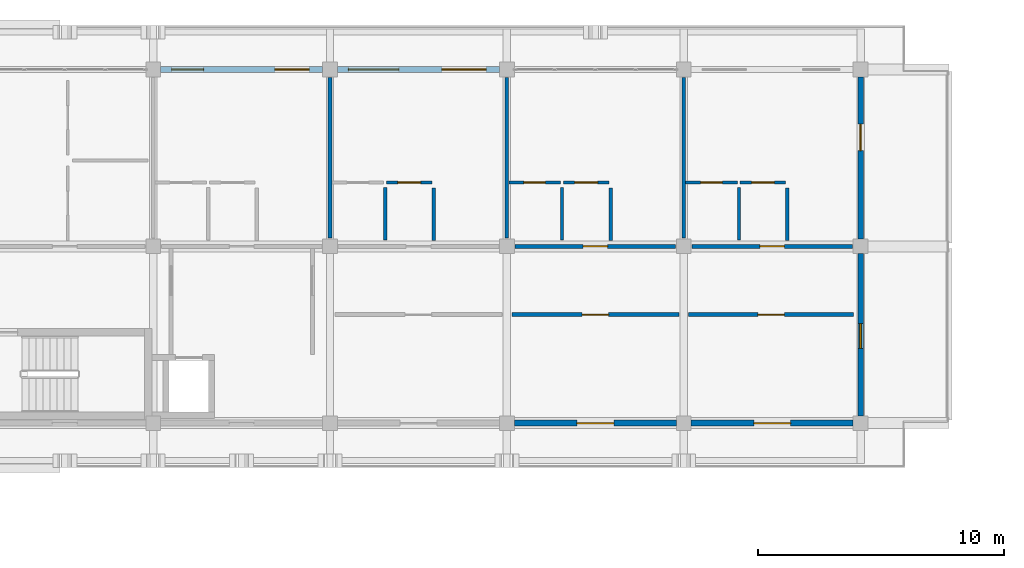
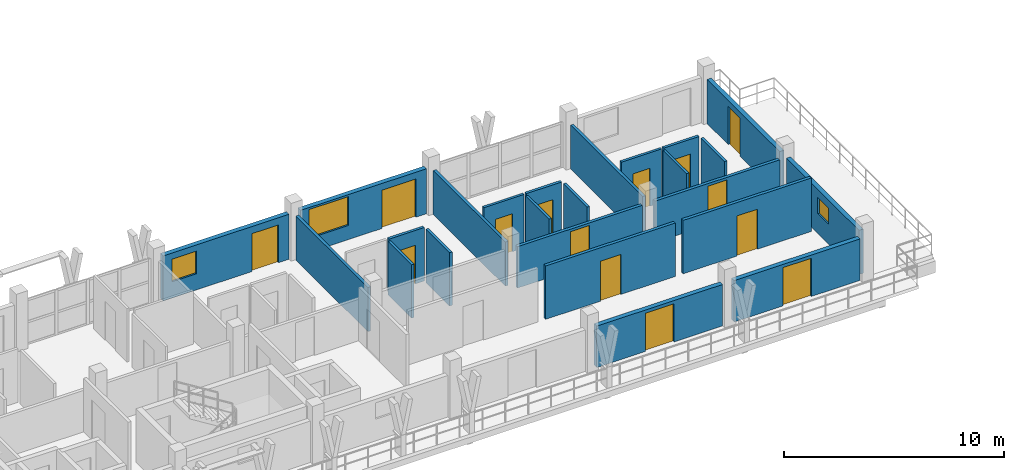
# One storey, part 35 of 56: 24 walls, 14 doors, 3 windows, 17 openings.
"""IFC4 building model written with IfcOpenShell, lengths in metres."""

from ifc_helpers import new_model, si_unit, direction, frame, frame_2d, origin, place, context, subcontext, project, spatial, rectangle, extrude, material, layer, layer_set, type_object, element, fill, save


model = new_model("IFC4")

# Units and contexts
model_context = context("Model", 3, precision=1e-05, world=origin(), true_north=direction((0.0, 1.0)))
body_context = subcontext(model_context, "Body", "Model", "MODEL_VIEW")
ifc_project = project(units=[si_unit("LENGTHUNIT", "METRE"), si_unit("AREAUNIT", "SQUARE_METRE"), si_unit("VOLUMEUNIT", "CUBIC_METRE"), si_unit("PLANEANGLEUNIT", "RADIAN"), si_unit("MASSUNIT", "GRAM", prefix="KILO")], contexts=[model_context])

# Site, building, storey
site_placement = place(None, origin())
site = spatial("IfcSite", under=ifc_project, at=site_placement, CompositionType="ELEMENT")
building_placement = place(site_placement, origin())
building = spatial("IfcBuilding", under=site, at=building_placement, Name="Suanplinth Sawtooth Commons", CompositionType="ELEMENT")
storey_placement = place(building_placement, frame((0.0, 0.0, 34.800048828125)))
storey = spatial("IfcBuildingStorey", under=building, at=storey_placement, Name="L10", CompositionType="ELEMENT", Elevation=34.800048828125)

# Wall, openings, door, window
ifc_material_1 = material(Name="Precast concrete C40/50", Category="concrete")
ifc_layer_1 = layer(ifc_material_1, 0.239990234375, Name="Upper insulated precast facade wall 240mm")
ifc_layer_set_1 = layer_set([ifc_layer_1], Name="Precast concrete C40/50")
wall_type_1 = type_object("IfcWallType", Name="W-EX03", PredefinedType="ELEMENTEDWALL", material=ifc_layer_set_1)
wall_1_placement = place(storey_placement, frame((65.10009765625, 122.39990234375, 0.0), z_axis=(0.0, 0.0, 1.0), x_axis=(1.0, 0.0, 0.0)))
wall_1 = element("IfcWall", 1, at=wall_1_placement, inside=storey, type_object=wall_type_1, Name="Facade Wall W-L10-A-N-6", PredefinedType="ELEMENTEDWALL", context=body_context, shape_type="SweptSolid", body=[
    extrude(rectangle(XDim=6.599853515625, YDim=0.239990234375, at=frame_2d((3.2998046875, 0.0))), origin(), (0.0, 0.0, 1.0), 2.494873046875),
])
opening_1_placement = place(wall_1_placement, frame((4.64990234375, 0.0, 0.0)))
opening_1 = element("IfcOpeningElement", 2, at=opening_1_placement, cuts=wall_1, Name="Opening ED0742", PredefinedType="OPENING", context=body_context, shape_type="SweptSolid", body=[
    extrude(rectangle(XDim=1.39990234375, YDim=2.10009765625, at=frame_2d((0.699951171875, 1.050048828125))), frame((0.0, 0.134765625, 0.0), z_axis=(0.0, -1.0, 0.0), x_axis=(1.0, 0.0, 0.0)), (0.0, 0.0, 1.0), 0.269775390625),
])
opening_2_placement = place(wall_1_placement, frame((0.449951171875, 0.0, 0.89990234375)))
opening_2 = element("IfcOpeningElement", 3, at=opening_2_placement, cuts=wall_1, Name="Opening W0824", PredefinedType="OPENING", context=body_context, shape_type="SweptSolid", body=[
    extrude(rectangle(XDim=1.300048828125, YDim=1.25, at=frame_2d((0.64990234375, 0.625))), frame((0.0, 0.134765625, 0.0), z_axis=(0.0, -1.0, 0.0), x_axis=(1.0, 0.0, 0.0)), (0.0, 0.0, 1.0), 0.269775390625),
])
ifc_material_2 = material(Name="Anodized aluminium and low-E glass", Category="aluminium")
door_type_1 = type_object("IfcDoorType", Name="SD-07", OperationType="SLIDING_TO_RIGHT", PredefinedType="DOOR", material=ifc_material_2)
door_1_placement = place(opening_1_placement, frame((1.39990234375, 0.0, 0.0), z_axis=(0.0, 0.0, 1.0), x_axis=(-1.0, 0.0, 0.0)))
door_1 = element("IfcDoor", 4, at=door_1_placement, inside=storey, type_object=door_type_1, Name="Balcony Sliding Door L10-A-N-6", OperationType="SLIDING_TO_RIGHT", OverallHeight=2.10009765625, OverallWidth=1.39990234375, PredefinedType="DOOR", context=body_context, shape_type="SweptSolid", body=[
    extrude(rectangle(XDim=1.39990234375, YDim=2.10009765625, at=frame_2d((0.699951171875, 1.050048828125))), frame((0.0, 0.02490234375, 0.0), z_axis=(0.0, -1.0, 0.0), x_axis=(1.0, 0.0, 0.0)), (0.0, 0.0, 1.0), 0.050048828125),
])
fill(opening_1, door_1)
ifc_material_3 = material(Name="Thermally broken aluminium and low-E double glazing", Category="aluminium")
window_type_1 = type_object("IfcWindowType", Name="WN-24", PartitioningType="SINGLE_PANEL", PredefinedType="WINDOW", material=ifc_material_3)
window_1_placement = place(opening_2_placement, origin())
window_1 = element("IfcWindow", 5, at=window_1_placement, inside=storey, type_object=window_type_1, Name="Window L10-A-N-6", OverallHeight=1.25, OverallWidth=1.300048828125, PartitioningType="SINGLE_PANEL", PredefinedType="WINDOW", context=body_context, shape_type="SweptSolid", body=[
    extrude(rectangle(XDim=1.300048828125, YDim=1.25, at=frame_2d((0.64990234375, 0.625))), frame((0.0, 0.030029296875, 0.0), z_axis=(0.0, -1.0, 0.0), x_axis=(1.0, 0.0, 0.0)), (0.0, 0.0, 1.0), 0.06005859375),
])
fill(opening_2, window_1)

wall_2_placement = place(storey_placement, frame((72.300048828125, 122.39990234375, 0.0), z_axis=(0.0, 0.0, 1.0), x_axis=(1.0, 0.0, 0.0)))
wall_2 = element("IfcWall", 6, at=wall_2_placement, inside=storey, type_object=wall_type_1, Name="Facade Wall W-L10-A-N-7", PredefinedType="ELEMENTEDWALL", context=body_context, shape_type="SweptSolid", body=[
    extrude(rectangle(XDim=6.599853515625, YDim=0.239990234375, at=frame_2d((3.2998046875, 0.0))), origin(), (0.0, 0.0, 1.0), 2.494873046875),
])
opening_3_placement = place(wall_2_placement, frame((4.25, 0.0, 0.0)))
opening_3 = element("IfcOpeningElement", 7, at=opening_3_placement, cuts=wall_2, Name="Opening ED0743", PredefinedType="OPENING", context=body_context, shape_type="SweptSolid", body=[
    extrude(rectangle(XDim=1.800048828125, YDim=2.1201171875, at=frame_2d((0.89990234375, 1.06005859375))), frame((0.0, 0.134765625, 0.0), z_axis=(0.0, -1.0, 0.0), x_axis=(1.0, 0.0, 0.0)), (0.0, 0.0, 1.0), 0.269775390625),
])
opening_4_placement = place(wall_2_placement, frame((0.449951171875, 0.0, 0.784912109375)))
opening_4 = element("IfcOpeningElement", 8, at=opening_4_placement, cuts=wall_2, Name="Opening W0826", PredefinedType="OPENING", context=body_context, shape_type="SweptSolid", body=[
    extrude(rectangle(XDim=2.050048828125, YDim=1.60009765625, at=frame_2d((1.02490234375, 0.800048828125))), frame((0.0, 0.134765625, 0.0), z_axis=(0.0, -1.0, 0.0), x_axis=(1.0, 0.0, 0.0)), (0.0, 0.0, 1.0), 0.269775390625),
])
door_type_2 = type_object("IfcDoorType", Name="SD-01", OperationType="SLIDING_TO_LEFT", PredefinedType="DOOR", material=ifc_material_2)
door_2_placement = place(opening_3_placement, frame((1.800048828125, 0.0, 0.0), z_axis=(0.0, 0.0, 1.0), x_axis=(-1.0, 0.0, 0.0)))
door_2 = element("IfcDoor", 9, at=door_2_placement, inside=storey, type_object=door_type_2, Name="Balcony Sliding Door L10-A-N-7", OperationType="SLIDING_TO_LEFT", OverallHeight=2.1201171875, OverallWidth=1.800048828125, PredefinedType="DOOR", context=body_context, shape_type="SweptSolid", body=[
    extrude(rectangle(XDim=1.800048828125, YDim=2.1201171875, at=frame_2d((0.89990234375, 1.06005859375))), frame((0.0, 0.02490234375, 0.0), z_axis=(0.0, -1.0, 0.0), x_axis=(1.0, 0.0, 0.0)), (0.0, 0.0, 1.0), 0.050048828125),
])
fill(opening_3, door_2)
window_type_2 = type_object("IfcWindowType", Name="WN-25", PartitioningType="DOUBLE_PANEL_VERTICAL", PredefinedType="WINDOW", material=ifc_material_3)
window_2_placement = place(opening_4_placement, origin())
window_2 = element("IfcWindow", 10, at=window_2_placement, inside=storey, type_object=window_type_2, Name="Window L10-A-N-7", OverallHeight=1.60009765625, OverallWidth=2.050048828125, PartitioningType="DOUBLE_PANEL_VERTICAL", PredefinedType="WINDOW", context=body_context, shape_type="SweptSolid", body=[
    extrude(rectangle(XDim=2.050048828125, YDim=1.60009765625, at=frame_2d((1.02490234375, 0.800048828125))), frame((0.0, 0.030029296875, 0.0), z_axis=(0.0, -1.0, 0.0), x_axis=(1.0, 0.0, 0.0)), (0.0, 0.0, 1.0), 0.06005859375),
])
fill(opening_4, window_2)

# Wall, opening, door
wall_3_placement = place(storey_placement, frame((79.5, 108.0, 0.0), z_axis=(0.0, 0.0, 1.0), x_axis=(1.0, 0.0, 0.0)))
wall_3 = element("IfcWall", 11, at=wall_3_placement, inside=storey, type_object=wall_type_1, Name="Courtyard Wall W-L10-A-S-8", PredefinedType="ELEMENTEDWALL", context=body_context, shape_type="SweptSolid", body=[
    extrude(rectangle(XDim=6.60009765625, YDim=0.239990234375, at=frame_2d((3.300048828125, 0.0))), origin(), (0.0, 0.0, 1.0), 2.294921875),
])
opening_5_placement = place(wall_3_placement, frame((2.550048828125, 0.0, 0.0)))
opening_5 = element("IfcOpeningElement", 12, at=opening_5_placement, cuts=wall_3, Name="Opening ED0745", PredefinedType="OPENING", context=body_context, shape_type="SweptSolid", body=[
    extrude(rectangle(XDim=1.5, YDim=2.1201171875, at=frame_2d((0.75, 1.06005859375))), frame((0.0, 0.134765625, 0.0), z_axis=(0.0, -1.0, 0.0), x_axis=(1.0, 0.0, 0.0)), (0.0, 0.0, 1.0), 0.269775390625),
])
door_type_3 = type_object("IfcDoorType", Name="SD-03", OperationType="SLIDING_TO_LEFT", PredefinedType="DOOR", material=ifc_material_2)
door_3_placement = place(opening_5_placement, frame((1.5, 0.0, 0.0), z_axis=(0.0, 0.0, 1.0), x_axis=(-1.0, 0.0, 0.0)))
door_3 = element("IfcDoor", 13, at=door_3_placement, inside=storey, type_object=door_type_3, Name="Courtyard Balcony Sliding Door L10-A-S-8", OperationType="SLIDING_TO_LEFT", OverallHeight=2.1201171875, OverallWidth=1.5, PredefinedType="DOOR", context=body_context, shape_type="SweptSolid", body=[
    extrude(rectangle(XDim=1.5, YDim=2.1201171875, at=frame_2d((0.75, 1.06005859375))), frame((0.0, 0.02490234375, 0.0), z_axis=(0.0, -1.0, 0.0), x_axis=(1.0, 0.0, 0.0)), (0.0, 0.0, 1.0), 0.050048828125),
])
fill(opening_5, door_3)

wall_4_placement = place(storey_placement, frame((86.699951171875, 108.0, 0.0), z_axis=(0.0, 0.0, 1.0), x_axis=(1.0, 0.0, 0.0)))
wall_4 = element("IfcWall", 14, at=wall_4_placement, inside=storey, type_object=wall_type_1, Name="Courtyard Wall W-L10-A-S-9", PredefinedType="ELEMENTEDWALL", context=body_context, shape_type="SweptSolid", body=[
    extrude(rectangle(XDim=6.60009765625, YDim=0.239990234375, at=frame_2d((3.300048828125, 0.0))), origin(), (0.0, 0.0, 1.0), 2.294921875),
])
opening_6_placement = place(wall_4_placement, frame((2.550048828125, 0.0, 0.0)))
opening_6 = element("IfcOpeningElement", 15, at=opening_6_placement, cuts=wall_4, Name="Opening ED0747", PredefinedType="OPENING", context=body_context, shape_type="SweptSolid", body=[
    extrude(rectangle(XDim=1.5, YDim=2.1201171875, at=frame_2d((0.75, 1.06005859375))), frame((0.0, 0.134765625, 0.0), z_axis=(0.0, -1.0, 0.0), x_axis=(1.0, 0.0, 0.0)), (0.0, 0.0, 1.0), 0.269775390625),
])
door_4_placement = place(opening_6_placement, frame((1.5, 0.0, 0.0), z_axis=(0.0, 0.0, 1.0), x_axis=(-1.0, 0.0, 0.0)))
door_4 = element("IfcDoor", 16, at=door_4_placement, inside=storey, type_object=door_type_3, Name="Courtyard Balcony Sliding Door L10-A-S-9", OperationType="SLIDING_TO_LEFT", OverallHeight=2.1201171875, OverallWidth=1.5, PredefinedType="DOOR", context=body_context, shape_type="SweptSolid", body=[
    extrude(rectangle(XDim=1.5, YDim=2.1201171875, at=frame_2d((0.75, 1.06005859375))), frame((0.0, 0.02490234375, 0.0), z_axis=(0.0, -1.0, 0.0), x_axis=(1.0, 0.0, 0.0)), (0.0, 0.0, 1.0), 0.050048828125),
])
fill(opening_6, door_4)

# Wall, opening, window
ifc_layer_2 = layer(ifc_material_1, 0.22998046875, Name="Stepped terrace insulated precast wall 230mm")
ifc_layer_set_2 = layer_set([ifc_layer_2], Name="Precast concrete C40/50")
wall_type_2 = type_object("IfcWallType", Name="W-EX06", PredefinedType="ELEMENTEDWALL", material=ifc_layer_set_2)
wall_5_placement = place(storey_placement, frame((93.60009765625, 108.300048828125, 0.0), z_axis=(0.0, 0.0, 1.0), x_axis=(0.0, 1.0, 0.0)))
wall_5 = element("IfcWall", 17, at=wall_5_placement, inside=storey, type_object=wall_type_2, Name="End Wall W-L10-A-E-15", PredefinedType="ELEMENTEDWALL", context=body_context, shape_type="SweptSolid", body=[
    extrude(rectangle(XDim=6.599853515625, YDim=0.22998046875, at=frame_2d((3.2998046875, 0.0))), origin(), (0.0, 0.0, 1.0), 2.445068359375),
])
opening_7_placement = place(wall_5_placement, frame((2.75, 0.0, 1.10009765625)))
opening_7 = element("IfcOpeningElement", 18, at=opening_7_placement, cuts=wall_5, Name="Opening W0829", PredefinedType="OPENING", context=body_context, shape_type="SweptSolid", body=[
    extrude(rectangle(XDim=1.0, YDim=0.89990234375, at=frame_2d((0.5, 0.449951171875))), frame((0.0, 0.1298828125, 0.0), z_axis=(0.0, -1.0, 0.0), x_axis=(1.0, 0.0, 0.0)), (0.0, 0.0, 1.0), 0.259765625),
])
window_type_3 = type_object("IfcWindowType", Name="WN-12", PartitioningType="SINGLE_PANEL", PredefinedType="WINDOW", material=ifc_material_3)
window_3_placement = place(opening_7_placement, origin())
window_3 = element("IfcWindow", 19, at=window_3_placement, inside=storey, type_object=window_type_3, Name="End Window L10-A-E-15", OverallHeight=0.89990234375, OverallWidth=1.0, PartitioningType="SINGLE_PANEL", PredefinedType="WINDOW", context=body_context, shape_type="SweptSolid", body=[
    extrude(rectangle(XDim=1.0, YDim=0.89990234375, at=frame_2d((0.5, 0.449951171875))), frame((0.0, 0.030029296875, 0.0), z_axis=(0.0, -1.0, 0.0), x_axis=(1.0, 0.0, 0.0)), (0.0, 0.0, 1.0), 0.06005859375),
])
fill(opening_7, window_3)

# Wall, opening, door
wall_6_placement = place(storey_placement, frame((93.60009765625, 115.5, 0.0), z_axis=(0.0, 0.0, 1.0), x_axis=(0.0, 1.0, 0.0)))
wall_6 = element("IfcWall", 20, at=wall_6_placement, inside=storey, type_object=wall_type_2, Name="End Wall W-L10-A-E-16", PredefinedType="ELEMENTEDWALL", context=body_context, shape_type="SweptSolid", body=[
    extrude(rectangle(XDim=6.60009765625, YDim=0.22998046875, at=frame_2d((3.300048828125, 0.0))), origin(), (0.0, 0.0, 1.0), 2.445068359375),
])
opening_8_placement = place(wall_6_placement, frame((3.60009765625, 0.0, 0.0)))
opening_8 = element("IfcOpeningElement", 21, at=opening_8_placement, cuts=wall_6, Name="Opening ED0749", PredefinedType="OPENING", context=body_context, shape_type="SweptSolid", body=[
    extrude(rectangle(XDim=1.080078125, YDim=2.1201171875, at=frame_2d((0.5400390625, 1.06005859375))), frame((0.0, 0.1298828125, 0.0), z_axis=(0.0, -1.0, 0.0), x_axis=(1.0, 0.0, 0.0)), (0.0, 0.0, 1.0), 0.259765625),
])
door_type_4 = type_object("IfcDoorType", Name="ED-10", OperationType="NOTDEFINED", PredefinedType="DOOR", material=ifc_material_2)
door_5_placement = place(opening_8_placement, frame((1.080078125, 0.0, 0.0), z_axis=(0.0, 0.0, 1.0), x_axis=(-1.0, 0.0, 0.0)))
door_5 = element("IfcDoor", 22, at=door_5_placement, inside=storey, type_object=door_type_4, Name="L10 Block A E Stepped Terrace Door", OperationType="SINGLE_SWING_LEFT", OverallHeight=2.1201171875, OverallWidth=1.080078125, PredefinedType="DOOR", context=body_context, shape_type="SweptSolid", body=[
    extrude(rectangle(XDim=1.080078125, YDim=2.1201171875, at=frame_2d((0.5400390625, 1.06005859375))), frame((0.0, 0.02490234375, 0.0), z_axis=(0.0, -1.0, 0.0), x_axis=(1.0, 0.0, 0.0)), (0.0, 0.0, 1.0), 0.050048828125),
])
fill(opening_8, door_5)

ifc_layer_3 = layer(ifc_material_1, 0.159912109375, Name="Fire-rated corridor and lobby wall 160mm")
ifc_layer_set_3 = layer_set([ifc_layer_3], Name="Precast concrete C40/50")
wall_type_3 = type_object("IfcWallType", Name="W-FW01", PredefinedType="PARTITIONING", material=ifc_layer_set_3)
wall_7_placement = place(storey_placement, frame((79.530029296875, 115.199951171875, 0.0), z_axis=(0.0, 0.0, 1.0), x_axis=(1.0, 0.0, 0.0)))
wall_7 = element("IfcWall", 23, at=wall_7_placement, inside=storey, type_object=wall_type_3, Name="W-A-L10-U07-COR", PredefinedType="PARTITIONING", context=body_context, shape_type="SweptSolid", body=[
    extrude(rectangle(XDim=6.5400390625, YDim=0.159912109375, at=frame_2d((3.27001953125, 0.0))), origin(), (0.0, 0.0, 1.0), 2.294921875),
])
opening_9_placement = place(wall_7_placement, frame((2.77001953125, 0.0, 0.0)))
opening_9 = element("IfcOpeningElement", 24, at=opening_9_placement, cuts=wall_7, Name="Opening FD1866", PredefinedType="OPENING", context=body_context, shape_type="SweptSolid", body=[
    extrude(rectangle(XDim=1.0, YDim=2.14990234375, at=frame_2d((0.5, 1.074951171875))), frame((0.0, 0.0947265625, 0.0), z_axis=(0.0, -1.0, 0.0), x_axis=(1.0, 0.0, 0.0)), (0.0, 0.0, 1.0), 0.189697265625),
])
ifc_material_4 = material(Name="Teak hardwood fire-rated door assembly", Category="wood")
door_type_5 = type_object("IfcDoorType", Name="FD-03", OperationType="NOTDEFINED", PredefinedType="DOOR", material=ifc_material_4)
door_6_placement = place(opening_9_placement, origin())
door_6 = element("IfcDoor", 25, at=door_6_placement, inside=storey, type_object=door_type_5, Name="Unit Entrance Door FD1866", OperationType="SINGLE_SWING_RIGHT", OverallHeight=2.14990234375, OverallWidth=1.0, PredefinedType="DOOR", context=body_context, shape_type="SweptSolid", body=[
    extrude(rectangle(XDim=1.0, YDim=2.14990234375, at=frame_2d((0.5, 1.074951171875))), frame((0.0, 0.02490234375, 0.0), z_axis=(0.0, -1.0, 0.0), x_axis=(1.0, 0.0, 0.0)), (0.0, 0.0, 1.0), 0.050048828125),
])
fill(opening_9, door_6)

wall_8_placement = place(storey_placement, frame((86.72998046875, 115.199951171875, 0.0), z_axis=(0.0, 0.0, 1.0), x_axis=(1.0, 0.0, 0.0)))
wall_8 = element("IfcWall", 26, at=wall_8_placement, inside=storey, type_object=wall_type_3, Name="W-A-L10-U08-COR", PredefinedType="PARTITIONING", context=body_context, shape_type="SweptSolid", body=[
    extrude(rectangle(XDim=6.5400390625, YDim=0.159912109375, at=frame_2d((3.27001953125, 0.0))), origin(), (0.0, 0.0, 1.0), 2.294921875),
])
opening_10_placement = place(wall_8_placement, frame((2.77001953125, 0.0, 0.0)))
opening_10 = element("IfcOpeningElement", 27, at=opening_10_placement, cuts=wall_8, Name="Opening FD1869", PredefinedType="OPENING", context=body_context, shape_type="SweptSolid", body=[
    extrude(rectangle(XDim=1.0, YDim=2.14990234375, at=frame_2d((0.5, 1.074951171875))), frame((0.0, 0.0947265625, 0.0), z_axis=(0.0, -1.0, 0.0), x_axis=(1.0, 0.0, 0.0)), (0.0, 0.0, 1.0), 0.189697265625),
])
door_7_placement = place(opening_10_placement, origin())
door_7 = element("IfcDoor", 28, at=door_7_placement, inside=storey, type_object=door_type_5, Name="Unit Entrance Door FD1869", OperationType="SINGLE_SWING_LEFT", OverallHeight=2.14990234375, OverallWidth=1.0, PredefinedType="DOOR", context=body_context, shape_type="SweptSolid", body=[
    extrude(rectangle(XDim=1.0, YDim=2.14990234375, at=frame_2d((0.5, 1.074951171875))), frame((0.0, 0.02490234375, 0.0), z_axis=(0.0, -1.0, 0.0), x_axis=(1.0, 0.0, 0.0)), (0.0, 0.0, 1.0), 0.050048828125),
])
fill(opening_10, door_7)

wall_9_placement = place(storey_placement, frame((79.39990234375, 112.419921875, 0.0), z_axis=(0.0, 0.0, 1.0), x_axis=(1.0, 0.0, 0.0)))
wall_9 = element("IfcWall", 29, at=wall_9_placement, inside=storey, type_object=wall_type_3, Name="W-A-L10-COURTROOM-12-COR", PredefinedType="PARTITIONING", context=body_context, shape_type="SweptSolid", body=[
    extrude(rectangle(XDim=6.800048828125, YDim=0.159912109375, at=frame_2d((3.39990234375, 0.0))), origin(), (0.0, 0.0, 1.0), 2.9599609375),
])
opening_11_placement = place(wall_9_placement, frame((2.860107421875, 0.0, 0.0)))
opening_11 = element("IfcOpeningElement", 30, at=opening_11_placement, cuts=wall_9, Name="Opening D1876", PredefinedType="OPENING", context=body_context, shape_type="SweptSolid", body=[
    extrude(rectangle(XDim=1.080078125, YDim=2.219970703125, at=frame_2d((0.5400390625, 1.10986328125))), frame((0.0, 0.0947265625, 0.0), z_axis=(0.0, -1.0, 0.0), x_axis=(1.0, 0.0, 0.0)), (0.0, 0.0, 1.0), 0.189697265625),
])
ifc_material_5 = material(Name="Teak hardwood", Category="wood")
door_type_6 = type_object("IfcDoorType", Name="D-17", OperationType="NOTDEFINED", PredefinedType="DOOR", material=ifc_material_5)
door_8_placement = place(opening_11_placement, frame((1.080078125, 0.0, 0.0), z_axis=(0.0, 0.0, 1.0), x_axis=(-1.0, 0.0, 0.0)))
door_8 = element("IfcDoor", 31, at=door_8_placement, inside=storey, type_object=door_type_6, Name="Study Studio Door D1876", OperationType="SINGLE_SWING_RIGHT", OverallHeight=2.219970703125, OverallWidth=1.080078125, PredefinedType="DOOR", context=body_context, shape_type="SweptSolid", body=[
    extrude(rectangle(XDim=1.080078125, YDim=2.219970703125, at=frame_2d((0.5400390625, 1.10986328125))), frame((0.0, 0.02490234375, 0.0), z_axis=(0.0, -1.0, 0.0), x_axis=(1.0, 0.0, 0.0)), (0.0, 0.0, 1.0), 0.050048828125),
])
fill(opening_11, door_8)

wall_10_placement = place(storey_placement, frame((86.60009765625, 112.419921875, 0.0), z_axis=(0.0, 0.0, 1.0), x_axis=(1.0, 0.0, 0.0)))
wall_10 = element("IfcWall", 32, at=wall_10_placement, inside=storey, type_object=wall_type_3, Name="W-A-L10-COURTROOM-13-COR", PredefinedType="PARTITIONING", context=body_context, shape_type="SweptSolid", body=[
    extrude(rectangle(XDim=6.719970703125, YDim=0.159912109375, at=frame_2d((3.35986328125, 0.0))), origin(), (0.0, 0.0, 1.0), 2.9599609375),
])
opening_12_placement = place(wall_10_placement, frame((2.820068359375, 0.0, 0.0)))
opening_12 = element("IfcOpeningElement", 33, at=opening_12_placement, cuts=wall_10, Name="Opening D1877", PredefinedType="OPENING", context=body_context, shape_type="SweptSolid", body=[
    extrude(rectangle(XDim=1.080078125, YDim=2.219970703125, at=frame_2d((0.5400390625, 1.10986328125))), frame((0.0, 0.0947265625, 0.0), z_axis=(0.0, -1.0, 0.0), x_axis=(1.0, 0.0, 0.0)), (0.0, 0.0, 1.0), 0.189697265625),
])
door_9_placement = place(opening_12_placement, frame((1.080078125, 0.0, 0.0), z_axis=(0.0, 0.0, 1.0), x_axis=(-1.0, 0.0, 0.0)))
door_9 = element("IfcDoor", 34, at=door_9_placement, inside=storey, type_object=door_type_6, Name="Study Studio Door D1877", OperationType="SINGLE_SWING_LEFT", OverallHeight=2.219970703125, OverallWidth=1.080078125, PredefinedType="DOOR", context=body_context, shape_type="SweptSolid", body=[
    extrude(rectangle(XDim=1.080078125, YDim=2.219970703125, at=frame_2d((0.5400390625, 1.10986328125))), frame((0.0, 0.02490234375, 0.0), z_axis=(0.0, -1.0, 0.0), x_axis=(1.0, 0.0, 0.0)), (0.0, 0.0, 1.0), 0.050048828125),
])
fill(opening_12, door_9)

# Walls
ifc_layer_4 = layer(ifc_material_1, 0.14990234375, Name="Acoustic precast party demising wall 150mm")
ifc_layer_set_4 = layer_set([ifc_layer_4], Name="Precast concrete C40/50")
wall_type_4 = type_object("IfcWallType", Name="W-FW02", PredefinedType="PARTITIONING", material=ifc_layer_set_4)
for number, where, z_axis, x_axis, name in (
    (35, (72.0, 115.530029296875, 0.0), (0.0, 0.0, 1.0), (0.0, 1.0, 0.0), "W-A-L10-U05-PTY"),
    (36, (79.199951171875, 115.530029296875, 0.0), (0.0, 0.0, 1.0), (0.0, 1.0, 0.0), "W-A-L10-U06-PTY"),
    (37, (86.39990234375, 115.530029296875, 0.0), (0.0, 0.0, 1.0), (0.0, 1.0, 0.0), "W-A-L10-U07-PTY"),
):
    element("IfcWall", number, at=place(storey_placement, frame(where, z_axis=z_axis, x_axis=x_axis)), inside=storey, type_object=wall_type_4, Name=name, PredefinedType="PARTITIONING", context=body_context, shape_type="SweptSolid", body=[
        extrude(rectangle(XDim=6.5400390625, YDim=0.14990234375, at=frame_2d((3.27001953125, 0.0))), origin(), (0.0, 0.0, 1.0), 2.445068359375),
    ])

# Wall, opening, door
ifc_material_6 = material(Name="Gypsum plasterboard on steel stud", Category="steel")
ifc_layer_5 = layer(ifc_material_6, 0.139892578125, Name="Fire-rated kitchen partition 140mm")
ifc_layer_set_5 = layer_set([ifc_layer_5], Name="Gypsum plasterboard on steel stud")
wall_type_5 = type_object("IfcWallType", Name="W-PT01", PredefinedType="PARTITIONING", material=ifc_layer_set_5)
wall_11_placement = place(storey_placement, frame((74.300048828125, 117.800048828125, 0.0), z_axis=(0.0, 0.0, 1.0), x_axis=(1.0, 0.0, 0.0)))
wall_11 = element("IfcWall", 38, at=wall_11_placement, inside=storey, type_object=wall_type_5, Name="W-A-L10-U06-KIT1", PredefinedType="PARTITIONING", context=body_context, shape_type="SweptSolid", body=[
    extrude(rectangle(XDim=1.849853515625, YDim=0.139892578125, at=frame_2d((0.9248046875, 0.0))), origin(), (0.0, 0.0, 1.0), 2.9599609375),
])
opening_13_placement = place(wall_11_placement, frame((0.4599609375, 0.0, 0.0)))
opening_13 = element("IfcOpeningElement", 39, at=opening_13_placement, cuts=wall_11, Name="Opening D1865", PredefinedType="OPENING", context=body_context, shape_type="SweptSolid", body=[
    extrude(rectangle(XDim=0.929931640625, YDim=2.139892578125, at=frame_2d((0.46484375, 1.06982421875))), frame((0.0, 0.0849609375, 0.0), z_axis=(0.0, -1.0, 0.0), x_axis=(1.0, 0.0, 0.0)), (0.0, 0.0, 1.0), 0.169677734375),
])
door_type_7 = type_object("IfcDoorType", Name="D-19", OperationType="NOTDEFINED", PredefinedType="DOOR", material=ifc_material_5)
door_10_placement = place(opening_13_placement, frame((0.929931640625, 0.0, 0.0), z_axis=(0.0, 0.0, 1.0), x_axis=(-1.0, 0.0, 0.0)))
door_10 = element("IfcDoor", 40, at=door_10_placement, inside=storey, type_object=door_type_7, Name="Kitchen Door D1865", OperationType="SINGLE_SWING_LEFT", OverallHeight=2.139892578125, OverallWidth=0.929931640625, PredefinedType="DOOR", context=body_context, shape_type="SweptSolid", body=[
    extrude(rectangle(XDim=0.929931640625, YDim=2.139892578125, at=frame_2d((0.46484375, 1.06982421875))), frame((0.0, 0.02490234375, 0.0), z_axis=(0.0, -1.0, 0.0), x_axis=(1.0, 0.0, 0.0)), (0.0, 0.0, 1.0), 0.050048828125),
])
fill(opening_13, door_10)

# Wall
wall_12_placement = place(storey_placement, frame((76.219970703125, 115.429931640625, 0.0), z_axis=(0.0, 0.0, 1.0), x_axis=(0.0, 1.0, 0.0)))
element("IfcWall", 41, at=wall_12_placement, inside=storey, type_object=wall_type_5, Name="W-A-L10-U06-KIT2", PredefinedType="PARTITIONING", context=body_context, shape_type="SweptSolid", body=[
    extrude(rectangle(XDim=2.150146484375, YDim=0.139892578125, at=frame_2d((1.0751953125, 0.0))), origin(), (0.0, 0.0, 1.0), 2.9599609375),
])

# Wall, opening, door
wall_13_placement = place(storey_placement, frame((81.5, 117.800048828125, 0.0), z_axis=(0.0, 0.0, 1.0), x_axis=(1.0, 0.0, 0.0)))
wall_13 = element("IfcWall", 42, at=wall_13_placement, inside=storey, type_object=wall_type_5, Name="W-A-L10-U07-KIT1", PredefinedType="PARTITIONING", context=body_context, shape_type="SweptSolid", body=[
    extrude(rectangle(XDim=1.85009765625, YDim=0.139892578125, at=frame_2d((0.925048828125, 0.0))), origin(), (0.0, 0.0, 1.0), 2.9599609375),
])
opening_14_placement = place(wall_13_placement, frame((0.4599609375, 0.0, 0.0)))
opening_14 = element("IfcOpeningElement", 43, at=opening_14_placement, cuts=wall_13, Name="Opening D1868", PredefinedType="OPENING", context=body_context, shape_type="SweptSolid", body=[
    extrude(rectangle(XDim=0.929931640625, YDim=2.139892578125, at=frame_2d((0.46484375, 1.06982421875))), frame((0.0, 0.0849609375, 0.0), z_axis=(0.0, -1.0, 0.0), x_axis=(1.0, 0.0, 0.0)), (0.0, 0.0, 1.0), 0.169677734375),
])
door_11_placement = place(opening_14_placement, frame((0.929931640625, 0.0, 0.0), z_axis=(0.0, 0.0, 1.0), x_axis=(-1.0, 0.0, 0.0)))
door_11 = element("IfcDoor", 44, at=door_11_placement, inside=storey, type_object=door_type_7, Name="Kitchen Door D1868", OperationType="SINGLE_SWING_RIGHT", OverallHeight=2.139892578125, OverallWidth=0.929931640625, PredefinedType="DOOR", context=body_context, shape_type="SweptSolid", body=[
    extrude(rectangle(XDim=0.929931640625, YDim=2.139892578125, at=frame_2d((0.46484375, 1.06982421875))), frame((0.0, 0.02490234375, 0.0), z_axis=(0.0, -1.0, 0.0), x_axis=(1.0, 0.0, 0.0)), (0.0, 0.0, 1.0), 0.050048828125),
])
fill(opening_14, door_11)

# Wall
wall_14_placement = place(storey_placement, frame((83.419921875, 115.429931640625, 0.0), z_axis=(0.0, 0.0, 1.0), x_axis=(0.0, 1.0, 0.0)))
element("IfcWall", 45, at=wall_14_placement, inside=storey, type_object=wall_type_5, Name="W-A-L10-U07-KIT2", PredefinedType="PARTITIONING", context=body_context, shape_type="SweptSolid", body=[
    extrude(rectangle(XDim=2.150146484375, YDim=0.139892578125, at=frame_2d((1.0751953125, 0.0))), origin(), (0.0, 0.0, 1.0), 2.9599609375),
])

# Wall, opening, door
wall_15_placement = place(storey_placement, frame((88.699951171875, 117.800048828125, 0.0), z_axis=(0.0, 0.0, 1.0), x_axis=(1.0, 0.0, 0.0)))
wall_15 = element("IfcWall", 46, at=wall_15_placement, inside=storey, type_object=wall_type_5, Name="W-A-L10-U08-KIT1", PredefinedType="PARTITIONING", context=body_context, shape_type="SweptSolid", body=[
    extrude(rectangle(XDim=1.85009765625, YDim=0.139892578125, at=frame_2d((0.925048828125, 0.0))), origin(), (0.0, 0.0, 1.0), 2.9599609375),
])
opening_15_placement = place(wall_15_placement, frame((0.4599609375, 0.0, 0.0)))
opening_15 = element("IfcOpeningElement", 47, at=opening_15_placement, cuts=wall_15, Name="Opening D1871", PredefinedType="OPENING", context=body_context, shape_type="SweptSolid", body=[
    extrude(rectangle(XDim=0.929931640625, YDim=2.139892578125, at=frame_2d((0.46484375, 1.06982421875))), frame((0.0, 0.0849609375, 0.0), z_axis=(0.0, -1.0, 0.0), x_axis=(1.0, 0.0, 0.0)), (0.0, 0.0, 1.0), 0.169677734375),
])
door_12_placement = place(opening_15_placement, frame((0.929931640625, 0.0, 0.0), z_axis=(0.0, 0.0, 1.0), x_axis=(-1.0, 0.0, 0.0)))
door_12 = element("IfcDoor", 48, at=door_12_placement, inside=storey, type_object=door_type_7, Name="Kitchen Door D1871", OperationType="SINGLE_SWING_LEFT", OverallHeight=2.139892578125, OverallWidth=0.929931640625, PredefinedType="DOOR", context=body_context, shape_type="SweptSolid", body=[
    extrude(rectangle(XDim=0.929931640625, YDim=2.139892578125, at=frame_2d((0.46484375, 1.06982421875))), frame((0.0, 0.02490234375, 0.0), z_axis=(0.0, -1.0, 0.0), x_axis=(1.0, 0.0, 0.0)), (0.0, 0.0, 1.0), 0.050048828125),
])
fill(opening_15, door_12)

# Walls
wall_16_placement = place(storey_placement, frame((90.6201171875, 115.429931640625, 0.0), z_axis=(0.0, 0.0, 1.0), x_axis=(0.0, 1.0, 0.0)))
element("IfcWall", 49, at=wall_16_placement, inside=storey, type_object=wall_type_5, Name="W-A-L10-U08-KIT2", PredefinedType="PARTITIONING", context=body_context, shape_type="SweptSolid", body=[
    extrude(rectangle(XDim=2.150146484375, YDim=0.139892578125, at=frame_2d((1.0751953125, 0.0))), origin(), (0.0, 0.0, 1.0), 2.9599609375),
])
ifc_layer_6 = layer(ifc_material_6, 0.1298828125, Name="Moisture-resistant bathroom partition 130mm")
ifc_layer_set_6 = layer_set([ifc_layer_6], Name="Gypsum plasterboard on steel stud")
wall_type_6 = type_object("IfcWallType", Name="W-PT02", PredefinedType="PARTITIONING", material=ifc_layer_set_6)
wall_17_placement = place(storey_placement, frame((74.2451171875, 115.4599609375, 0.0), z_axis=(0.0, 0.0, 1.0), x_axis=(0.0, 1.0, 0.0)))
element("IfcWall", 50, at=wall_17_placement, inside=storey, type_object=wall_type_6, Name="W-A-L10-U06-BTH2", PredefinedType="PARTITIONING", context=body_context, shape_type="SweptSolid", body=[
    extrude(rectangle(XDim=2.130126953125, YDim=0.1298828125, at=frame_2d((1.06494140625, 0.0))), origin(), (0.0, 0.0, 1.0), 2.9599609375),
])

# Wall, opening, door
wall_18_placement = place(storey_placement, frame((79.280029296875, 117.794921875, 0.0), z_axis=(0.0, 0.0, 1.0), x_axis=(1.0, 0.0, 0.0)))
wall_18 = element("IfcWall", 51, at=wall_18_placement, inside=storey, type_object=wall_type_6, Name="W-A-L10-U07-BTH1", PredefinedType="PARTITIONING", context=body_context, shape_type="SweptSolid", body=[
    extrude(rectangle(XDim=2.099853515625, YDim=0.1298828125, at=frame_2d((1.0498046875, 0.0))), origin(), (0.0, 0.0, 1.0), 2.9599609375),
])
opening_16_placement = place(wall_18_placement, frame((0.610107421875, 0.0, 0.0)))
opening_16 = element("IfcOpeningElement", 52, at=opening_16_placement, cuts=wall_18, Name="Opening D1867", PredefinedType="OPENING", context=body_context, shape_type="SweptSolid", body=[
    extrude(rectangle(XDim=0.8798828125, YDim=2.10009765625, at=frame_2d((0.43994140625, 1.050048828125))), frame((0.0, 0.079833984375, 0.0), z_axis=(0.0, -1.0, 0.0), x_axis=(1.0, 0.0, 0.0)), (0.0, 0.0, 1.0), 0.15966796875),
])
door_type_8 = type_object("IfcDoorType", Name="D-14", OperationType="NOTDEFINED", PredefinedType="DOOR", material=ifc_material_5)
door_13_placement = place(opening_16_placement, frame((0.8798828125, 0.0, 0.0), z_axis=(0.0, 0.0, 1.0), x_axis=(-1.0, 0.0, 0.0)))
door_13 = element("IfcDoor", 53, at=door_13_placement, inside=storey, type_object=door_type_8, Name="Bathroom Door D1867", OperationType="SINGLE_SWING_LEFT", OverallHeight=2.10009765625, OverallWidth=0.8798828125, PredefinedType="DOOR", context=body_context, shape_type="SweptSolid", body=[
    extrude(rectangle(XDim=0.8798828125, YDim=2.10009765625, at=frame_2d((0.43994140625, 1.050048828125))), frame((0.0, 0.02490234375, 0.0), z_axis=(0.0, -1.0, 0.0), x_axis=(1.0, 0.0, 0.0)), (0.0, 0.0, 1.0), 0.050048828125),
])
fill(opening_16, door_13)

# Wall
wall_19_placement = place(storey_placement, frame((81.445068359375, 115.4599609375, 0.0), z_axis=(0.0, 0.0, 1.0), x_axis=(0.0, 1.0, 0.0)))
element("IfcWall", 54, at=wall_19_placement, inside=storey, type_object=wall_type_6, Name="W-A-L10-U07-BTH2", PredefinedType="PARTITIONING", context=body_context, shape_type="SweptSolid", body=[
    extrude(rectangle(XDim=2.130126953125, YDim=0.1298828125, at=frame_2d((1.06494140625, 0.0))), origin(), (0.0, 0.0, 1.0), 2.9599609375),
])

# Wall, opening, door
wall_20_placement = place(storey_placement, frame((86.47998046875, 117.794921875, 0.0), z_axis=(0.0, 0.0, 1.0), x_axis=(1.0, 0.0, 0.0)))
wall_20 = element("IfcWall", 55, at=wall_20_placement, inside=storey, type_object=wall_type_6, Name="W-A-L10-U08-BTH1", PredefinedType="PARTITIONING", context=body_context, shape_type="SweptSolid", body=[
    extrude(rectangle(XDim=2.10009765625, YDim=0.1298828125, at=frame_2d((1.050048828125, 0.0))), origin(), (0.0, 0.0, 1.0), 2.9599609375),
])
opening_17_placement = place(wall_20_placement, frame((0.610107421875, 0.0, 0.0)))
opening_17 = element("IfcOpeningElement", 56, at=opening_17_placement, cuts=wall_20, Name="Opening D1870", PredefinedType="OPENING", context=body_context, shape_type="SweptSolid", body=[
    extrude(rectangle(XDim=0.8798828125, YDim=2.10009765625, at=frame_2d((0.43994140625, 1.050048828125))), frame((0.0, 0.079833984375, 0.0), z_axis=(0.0, -1.0, 0.0), x_axis=(1.0, 0.0, 0.0)), (0.0, 0.0, 1.0), 0.15966796875),
])
door_14_placement = place(opening_17_placement, frame((0.8798828125, 0.0, 0.0), z_axis=(0.0, 0.0, 1.0), x_axis=(-1.0, 0.0, 0.0)))
door_14 = element("IfcDoor", 57, at=door_14_placement, inside=storey, type_object=door_type_8, Name="Bathroom Door D1870", OperationType="SINGLE_SWING_RIGHT", OverallHeight=2.10009765625, OverallWidth=0.8798828125, PredefinedType="DOOR", context=body_context, shape_type="SweptSolid", body=[
    extrude(rectangle(XDim=0.8798828125, YDim=2.10009765625, at=frame_2d((0.43994140625, 1.050048828125))), frame((0.0, 0.02490234375, 0.0), z_axis=(0.0, -1.0, 0.0), x_axis=(1.0, 0.0, 0.0)), (0.0, 0.0, 1.0), 0.050048828125),
])
fill(opening_17, door_14)

# Wall
wall_21_placement = place(storey_placement, frame((88.64501953125, 115.4599609375, 0.0), z_axis=(0.0, 0.0, 1.0), x_axis=(0.0, 1.0, 0.0)))
element("IfcWall", 58, at=wall_21_placement, inside=storey, type_object=wall_type_6, Name="W-A-L10-U08-BTH2", PredefinedType="PARTITIONING", context=body_context, shape_type="SweptSolid", body=[
    extrude(rectangle(XDim=2.130126953125, YDim=0.1298828125, at=frame_2d((1.06494140625, 0.0))), origin(), (0.0, 0.0, 1.0), 2.9599609375),
])

save(model, "model.ifc")
